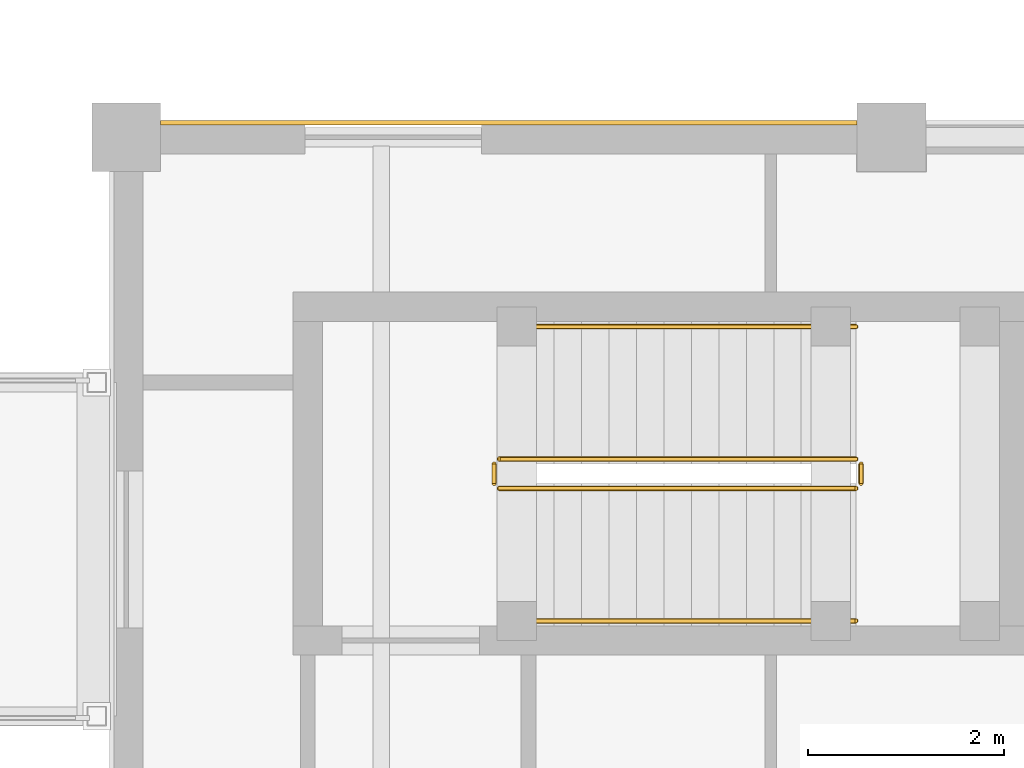
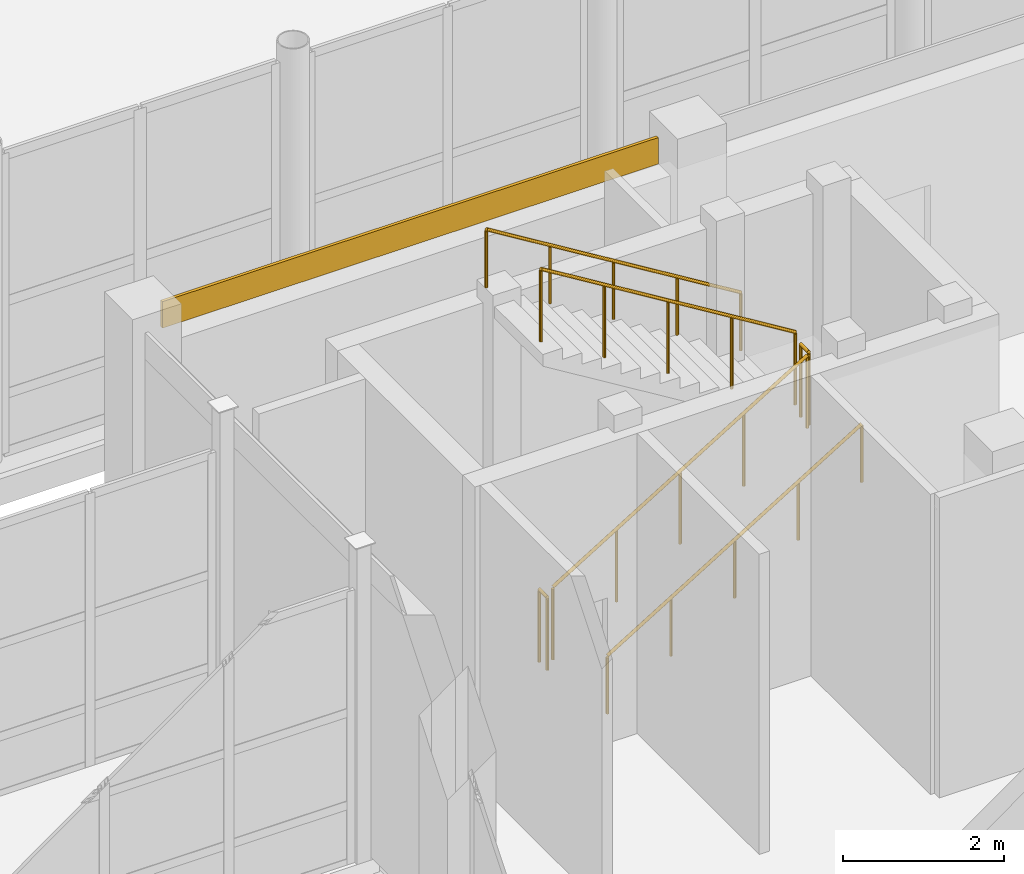
# One storey, part 115 of 131: 6 railings, 1 covering.
"""IFC4 building model written with IfcOpenShell, lengths in metres."""

from ifc_helpers import new_model, si_unit, direction, frame, origin, origin_2d, place, context, subcontext, project, spatial, rectangle, circle, extrude, material, layer, layer_set, type_object, element, save


model = new_model("IFC4")

# Units and contexts
model_context = context("Model", 3, precision=1e-05, world=origin(), true_north=direction((0.0, 1.0)))
body_context = subcontext(model_context, "Body", "Model", "MODEL_VIEW")
ifc_project = project(units=[si_unit("LENGTHUNIT", "METRE"), si_unit("AREAUNIT", "SQUARE_METRE"), si_unit("VOLUMEUNIT", "CUBIC_METRE"), si_unit("PLANEANGLEUNIT", "RADIAN"), si_unit("MASSUNIT", "GRAM", prefix="KILO")], contexts=[model_context])

# Site, building, storey
site_placement = place(None, origin())
site = spatial("IfcSite", under=ifc_project, at=site_placement, CompositionType="ELEMENT")
building_placement = place(site_placement, origin())
building = spatial("IfcBuilding", under=site, at=building_placement, Name="Celorna Specialist Clinic", CompositionType="ELEMENT")
storey_placement = place(building_placement, origin())
storey = spatial("IfcBuildingStorey", under=building, at=storey_placement, Name="L00", CompositionType="ELEMENT", Elevation=0.0)

# Covering
ifc_material_1 = material(Name="Pero Pinheiro Lioz limestone rainscreen cladding", Category="masonry")
ifc_layer = layer(ifc_material_1, 0.044921875, Name="Pero Pinheiro Lioz limestone rainscreen cladding")
ifc_layer_set = layer_set([ifc_layer], Name="Pero Pinheiro Lioz limestone rainscreen cladding")
covering_type = type_object("IfcCoveringType", Name="CL-01", PredefinedType="CLADDING", material=ifc_layer_set)
covering_placement = place(storey_placement, frame((58.5, 43.047607421875, 4.14013671875), z_axis=(0.0, 0.0, 1.0), x_axis=(1.0, 0.0, 0.0)))
element("IfcCovering", 1, at=covering_placement, inside=storey, type_object=covering_type, Name="Lioz spandrel cladding #380", PredefinedType="CLADDING", context=body_context, shape_type="SweptSolid", body=[
    extrude(rectangle(XDim=7.10009765625, YDim=0.044921875, at=origin_2d()), origin(), (0.0, 0.0, 1.0), 0.39990234375),
])

# Railings
ifc_material_2 = material(Name="Powder-coated steel S355", Category="steel")
railing_type_1 = type_object("IfcRailingType", Name="GR-01", PredefinedType="GUARDRAIL", material=ifc_material_2)
railing_1_placement = place(storey_placement, frame((58.39990234375, 39.320068359375, 0.17138671875)))
element("IfcRailing", 2, at=railing_1_placement, inside=storey, type_object=railing_type_1, Name="L00 ST-08 stair guard 1", PredefinedType="GUARDRAIL", context=body_context, shape_type="SweptSolid", body=[
    extrude(circle(Radius=0.02392578125, at=origin_2d()), frame((0.0, 0.0, 1.09619140625), z_axis=(0.852865859571, 0.0, 0.52213008492), x_axis=(0.0, 1.0, 0.0)), (0.0, 0.0, 1.0), 4.26806640625),
    extrude(circle(Radius=0.02099609375, at=origin_2d()), origin(), (0.0, 0.0, 1.0), 1.072021484375),
    extrude(circle(Radius=0.02099609375, at=origin_2d()), frame((0.91015625, 0.0, 0.55712890625)), (0.0, 0.0, 1.0), 1.072021484375),
    extrude(circle(Radius=0.02099609375, at=origin_2d()), frame((1.820068359375, 0.0, 1.1142578125)), (0.0, 0.0, 1.0), 1.072021484375),
    extrude(circle(Radius=0.02099609375, at=origin_2d()), frame((2.72998046875, 0.0, 1.67138671875)), (0.0, 0.0, 1.0), 1.072021484375),
    extrude(circle(Radius=0.02099609375, at=origin_2d()), frame((3.64013671875, 0.0, 2.228515625)), (0.0, 0.0, 1.0), 1.072021484375),
])
railing_2_placement = place(storey_placement, frame((62.090087890625, 39.3701171875, 2.39990234375)))
element("IfcRailing", 3, at=railing_2_placement, inside=storey, type_object=railing_type_1, Name="L00 ST-08 stair guard 2", PredefinedType="GUARDRAIL", context=body_context, shape_type="SweptSolid", body=[
    extrude(circle(Radius=0.02392578125, at=origin_2d()), frame((0.0, 0.0, 1.09619140625), z_axis=(0.0, 1.0, 0.0), x_axis=(-1.0, 0.0, 0.0)), (0.0, 0.0, 1.0), 0.199951171875),
    extrude(circle(Radius=0.02099609375, at=origin_2d()), origin(), (0.0, 0.0, 1.0), 1.072021484375),
    extrude(circle(Radius=0.02099609375, at=origin_2d()), frame((0.0, 0.199951171875, 0.0)), (0.0, 0.0, 1.0), 1.072021484375),
])
railing_3_placement = place(storey_placement, frame((62.0400390625, 39.6201171875, 2.571533203125)))
element("IfcRailing", 4, at=railing_3_placement, inside=storey, type_object=railing_type_1, Name="L00 ST-08 stair guard 3", PredefinedType="GUARDRAIL", context=body_context, shape_type="SweptSolid", body=[
    extrude(circle(Radius=0.02392578125, at=origin_2d()), frame((0.0, 0.0, 1.09619140625), z_axis=(-0.852865859571, 0.0, 0.52213008492), x_axis=(0.0, -1.0, 0.0)), (0.0, 0.0, 1.0), 4.26806640625),
    extrude(circle(Radius=0.02099609375, at=origin_2d()), origin(), (0.0, 0.0, 1.0), 1.072021484375),
    extrude(circle(Radius=0.02099609375, at=origin_2d()), frame((-0.91015625, 0.0, 0.55712890625)), (0.0, 0.0, 1.0), 1.072021484375),
    extrude(circle(Radius=0.02099609375, at=origin_2d()), frame((-1.820068359375, 0.0, 1.1142578125)), (0.0, 0.0, 1.0), 1.072021484375),
    extrude(circle(Radius=0.02099609375, at=origin_2d()), frame((-2.72998046875, 0.0, 1.67138671875)), (0.0, 0.0, 1.0), 1.072021484375),
    extrude(circle(Radius=0.02099609375, at=origin_2d()), frame((-3.64013671875, 0.0, 2.228515625)), (0.0, 0.0, 1.0), 1.072021484375),
])
railing_4_placement = place(storey_placement, frame((58.35009765625, 39.3701171875, 0.0)))
element("IfcRailing", 5, at=railing_4_placement, inside=storey, type_object=railing_type_1, Name="L00 ST-08 stair guard 4", PredefinedType="GUARDRAIL", context=body_context, shape_type="SweptSolid", body=[
    extrude(circle(Radius=0.02392578125, at=origin_2d()), frame((0.0, 0.0, 1.09619140625), z_axis=(0.0, 1.0, 0.0), x_axis=(-1.0, 0.0, 0.0)), (0.0, 0.0, 1.0), 0.199951171875),
    extrude(circle(Radius=0.02099609375, at=origin_2d()), origin(), (0.0, 0.0, 1.0), 1.072021484375),
    extrude(circle(Radius=0.02099609375, at=origin_2d()), frame((0.0, 0.199951171875, 0.0)), (0.0, 0.0, 1.0), 1.072021484375),
])
ifc_material_3 = material(Name="Brushed stainless steel handrail", Category="steel")
railing_type_2 = type_object("IfcRailingType", Name="HR-01", PredefinedType="HANDRAIL", material=ifc_material_3)
railing_5_placement = place(storey_placement, frame((58.39990234375, 37.969970703125, 0.17138671875)))
element("IfcRailing", 6, at=railing_5_placement, inside=storey, type_object=railing_type_2, Name="L00 ST-08 stair handrail 1", PredefinedType="HANDRAIL", context=body_context, shape_type="SweptSolid", body=[
    extrude(circle(Radius=0.02392578125, at=origin_2d()), frame((0.0, 0.0, 0.8759765625), z_axis=(0.852865859571, 0.0, 0.52213008492), x_axis=(0.0, 1.0, 0.0)), (0.0, 0.0, 1.0), 4.26806640625),
    extrude(circle(Radius=0.02099609375, at=origin_2d()), origin(), (0.0, 0.0, 1.0), 0.851806640625),
    extrude(circle(Radius=0.02099609375, at=origin_2d()), frame((0.91015625, 0.0, 0.55712890625)), (0.0, 0.0, 1.0), 0.851806640625),
    extrude(circle(Radius=0.02099609375, at=origin_2d()), frame((1.820068359375, 0.0, 1.1142578125)), (0.0, 0.0, 1.0), 0.851806640625),
    extrude(circle(Radius=0.02099609375, at=origin_2d()), frame((2.72998046875, 0.0, 1.67138671875)), (0.0, 0.0, 1.0), 0.851806640625),
    extrude(circle(Radius=0.02099609375, at=origin_2d()), frame((3.64013671875, 0.0, 2.228515625)), (0.0, 0.0, 1.0), 0.851806640625),
])
railing_6_placement = place(storey_placement, frame((62.0400390625, 40.969970703125, 2.571533203125)))
element("IfcRailing", 7, at=railing_6_placement, inside=storey, type_object=railing_type_2, Name="L00 ST-08 stair handrail 2", PredefinedType="HANDRAIL", context=body_context, shape_type="SweptSolid", body=[
    extrude(circle(Radius=0.02392578125, at=origin_2d()), frame((0.0, 0.0, 0.8759765625), z_axis=(-0.852865859571, 0.0, 0.52213008492), x_axis=(0.0, -1.0, 0.0)), (0.0, 0.0, 1.0), 4.26806640625),
    extrude(circle(Radius=0.02099609375, at=origin_2d()), origin(), (0.0, 0.0, 1.0), 0.851806640625),
    extrude(circle(Radius=0.02099609375, at=origin_2d()), frame((-0.91015625, 0.0, 0.55712890625)), (0.0, 0.0, 1.0), 0.851806640625),
    extrude(circle(Radius=0.02099609375, at=origin_2d()), frame((-1.820068359375, 0.0, 1.1142578125)), (0.0, 0.0, 1.0), 0.851806640625),
    extrude(circle(Radius=0.02099609375, at=origin_2d()), frame((-2.72998046875, 0.0, 1.67138671875)), (0.0, 0.0, 1.0), 0.851806640625),
    extrude(circle(Radius=0.02099609375, at=origin_2d()), frame((-3.64013671875, 0.0, 2.228515625)), (0.0, 0.0, 1.0), 0.851806640625),
])

save(model, "model.ifc")
